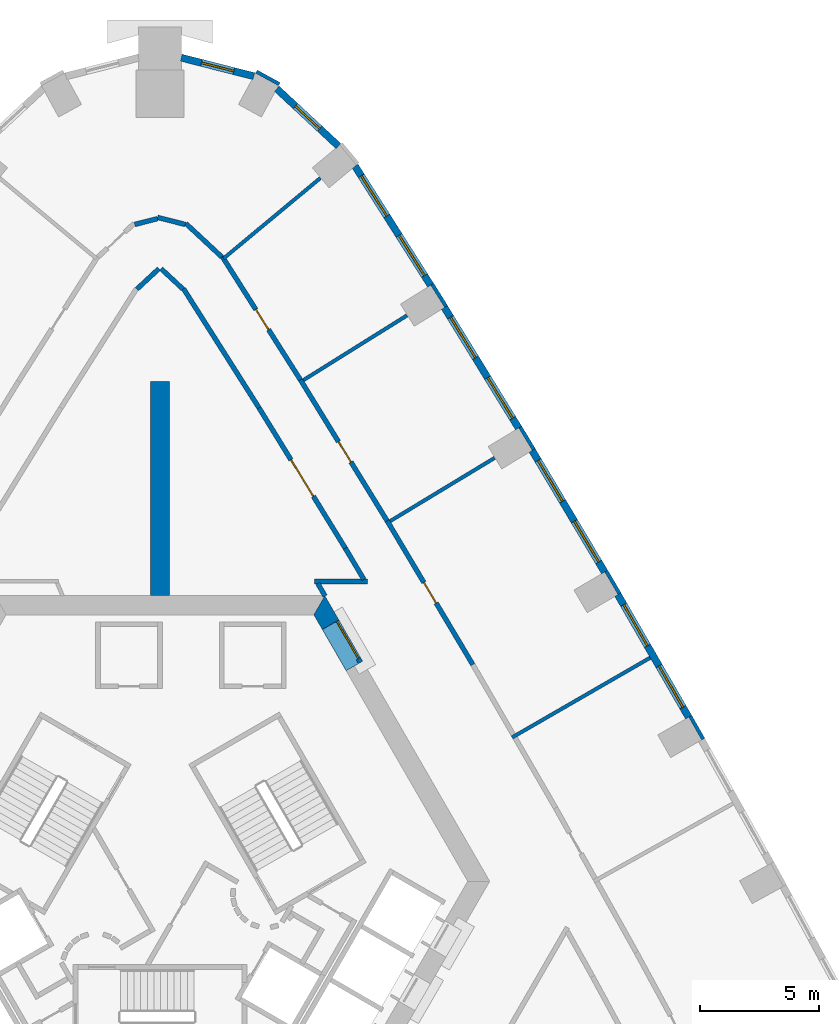
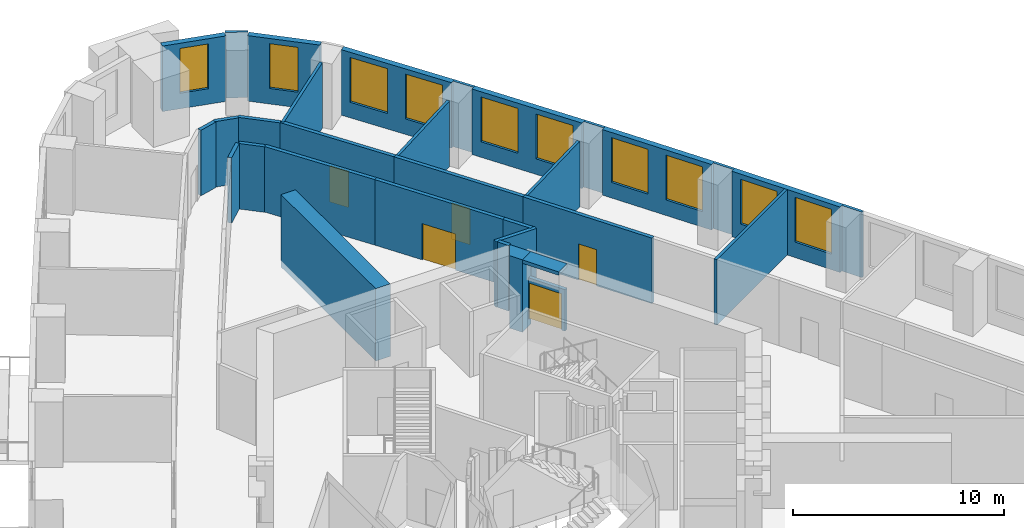
# One storey, part 10 of 14: 32 walls, 10 windows, 5 doors, 15 openings.
"""IFC4 building model written with IfcOpenShell, lengths in metres."""

from ifc_helpers import new_model, si_unit, direction, frame, frame_2d, origin, place, context, subcontext, project, spatial, polyline, rectangle, outline, extrude, material, layer, layer_set, type_object, element, fill, save


model = new_model("IFC4")

# Units and contexts
model_context = context("Model", 3, precision=1e-05, world=origin(), true_north=direction((0.0, 1.0)))
body_context = subcontext(model_context, "Body", "Model", "MODEL_VIEW")
ifc_project = project(units=[si_unit("LENGTHUNIT", "METRE"), si_unit("AREAUNIT", "SQUARE_METRE"), si_unit("VOLUMEUNIT", "CUBIC_METRE"), si_unit("PLANEANGLEUNIT", "RADIAN"), si_unit("MASSUNIT", "GRAM", prefix="KILO")], contexts=[model_context])

# Site, building, storey
site_placement = place(None, origin())
site = spatial("IfcSite", under=ifc_project, at=site_placement, CompositionType="ELEMENT")
building_placement = place(site_placement, origin())
building = spatial("IfcBuilding", under=site, at=building_placement, Name="Entoto Arch Interchange Tower", CompositionType="ELEMENT")
storey_placement = place(building_placement, frame((0.0, 0.0, 146.60009765625)))
storey = spatial("IfcBuildingStorey", under=building, at=storey_placement, Name="L32", CompositionType="ELEMENT", Elevation=146.60009765625)

# Wall
ifc_material_1 = material(Name="Concrete C50/60", Category="concrete")
ifc_layer_1 = layer(ifc_material_1, 0.800048828125)
ifc_layer_set_1 = layer_set([ifc_layer_1], Name="Concrete C50/60")
wall_type_1 = type_object("IfcWallType", Name="Buttress wall 800 C50/60", PredefinedType="SHEAR", material=ifc_layer_set_1)
wall_1_placement = place(storey_placement, frame((0.0, 14.5, -0.400146484375), z_axis=(0.0, 0.0, 1.0), x_axis=(0.0, 1.0, 0.0)))
element("IfcWall", 1, at=wall_1_placement, inside=storey, type_object=wall_type_1, Name="Buttress wall N L32", PredefinedType="SHEAR", context=body_context, shape_type="SweptSolid", body=[
    extrude(rectangle(XDim=9.0, YDim=0.800048828125, at=frame_2d((4.5, 0.0))), origin(), (0.0, 0.0, 1.0), 4.199951171875),
])

# Wall, opening, door
ifc_material_2 = material(Name="Reinforced concrete C40/50", Category="concrete")
ifc_layer_2 = layer(ifc_material_2, 0.199951171875)
ifc_layer_set_2 = layer_set([ifc_layer_2], Name="Reinforced concrete C40/50")
wall_type_2 = type_object("IfcWallType", Name="CORE GAP INFILL WALL", PredefinedType="PARTITIONING", material=ifc_layer_set_2)
wall_2_placement = place(storey_placement, frame((8.429931640625, 11.697998046875, 0.0), z_axis=(0.0, 0.0, 1.0), x_axis=(-0.50002537861, 0.866010750942, 0.0)))
wall_2 = element("IfcWall", 2, at=wall_2_placement, inside=storey, type_object=wall_type_2, Name="wall:L32:gap2", PredefinedType="PARTITIONING", context=body_context, shape_type="SweptSolid", body=[
    extrude(rectangle(XDim=2.0, YDim=0.199951171875, at=frame_2d((1.0, 0.0))), origin(), (0.0, 0.0, 1.0), 2.39990234375),
])
opening_1_placement = place(wall_2_placement, frame((0.18994140625, 0.0, 0.0)))
opening_1 = element("IfcOpeningElement", 3, at=opening_1_placement, cuts=wall_2, Name="Opening L32-D92", PredefinedType="OPENING", context=body_context, shape_type="SweptSolid", body=[
    extrude(rectangle(XDim=1.800048828125, YDim=2.10009765625, at=frame_2d((0.89990234375, 1.050048828125))), frame((0.0, 0.10986328125, 0.0), z_axis=(0.0, -1.0, 0.0), x_axis=(1.0, 0.0, 0.0)), (0.0, 0.0, 1.0), 0.219970703125),
])
ifc_material_3 = material(Name="Fire-rated Steel S235 door and frame", Category="steel")
door_type_1 = type_object("IfcDoorType", Name="DOOR FD-18 1800x2100", OperationType="DOUBLE_DOOR_SINGLE_SWING", PredefinedType="DOOR", material=ifc_material_3)
door_1_placement = place(opening_1_placement, origin())
door_1 = element("IfcDoor", 4, at=door_1_placement, inside=storey, type_object=door_type_1, Name="door:L32:gap2", OperationType="DOUBLE_DOOR_SINGLE_SWING", OverallHeight=2.10009765625, OverallWidth=1.800048828125, PredefinedType="DOOR", context=body_context, shape_type="SweptSolid", body=[
    extrude(rectangle(XDim=1.800048828125, YDim=2.10009765625, at=frame_2d((0.89990234375, 1.050048828125))), frame((0.0, 0.02490234375, 0.0), z_axis=(0.0, -1.0, 0.0), x_axis=(1.0, 0.0, 0.0)), (0.0, 0.0, 1.0), 0.050048828125),
])
fill(opening_1, door_1)

# Walls
ifc_layer_3 = layer(ifc_material_1, 0.800048828125)
ifc_layer_set_3 = layer_set([ifc_layer_3], Name="Concrete C50/60")
wall_type_3 = type_object("IfcWallType", Name="Core wall 800 C50/60", PredefinedType="SHEAR", material=ifc_layer_set_3)
wall_3_placement = place(storey_placement, frame((0.0, 0.0, -0.400146484375)))
element("IfcWall", 5, at=wall_3_placement, inside=storey, type_object=wall_type_3, Name="Core wall NE L32", PredefinedType="SHEAR", context=body_context, shape_type="SweptSolid", body=[
    extrude(outline(polyline([(6.823974609375, 13.080078125), (7.51708984375, 13.47998046875), (6.927978515625, 14.5), (6.466064453125, 13.699951171875), (6.823974609375, 13.080078125)])), origin(), (0.0, 0.0, 1.0), 4.199951171875),
])
wall_4_placement = place(storey_placement, frame((0.0, 0.0, 3.599853515625)))
element("IfcWall", 6, at=wall_4_placement, inside=storey, type_object=wall_type_3, Name="Core wall lintel NE L32", PredefinedType="SHEAR", context=body_context, shape_type="SweptSolid", body=[
    extrude(outline(polyline([(7.51708984375, 13.47998046875), (6.823974609375, 13.080078125), (7.823974609375, 11.347900390625), (8.51708984375, 11.748046875), (7.51708984375, 13.47998046875)])), origin(), (0.0, 0.0, 1.0), 0.199951171875),
])
ifc_material_4 = material(Name="Gypsum board partition on steel studs", Category="steel")
ifc_layer_4 = layer(ifc_material_4, 0.14990234375)
ifc_layer_set_4 = layer_set([ifc_layer_4], Name="Gypsum board partition on steel studs")
wall_type_4 = type_object("IfcWallType", Name="PARTITION 150", PredefinedType="PARTITIONING", material=ifc_layer_set_4)
wall_5_placement = place(storey_placement, frame((14.798095703125, 8.5439453125, 0.0), z_axis=(0.0, 0.0, 1.0), x_axis=(0.866041788654, 0.4999716195, 0.0)))
element("IfcWall", 7, at=wall_5_placement, inside=storey, type_object=wall_type_4, Name="wall:L32:p128", PredefinedType="PARTITIONING", context=body_context, shape_type="SweptSolid", body=[
    extrude(rectangle(XDim=6.70068359375, YDim=0.14990234375, at=frame_2d((3.350341796875, 0.0))), origin(), (0.0, 0.0, 1.0), 3.7998046875),
])
wall_6_placement = place(storey_placement, frame((9.6708984375, 17.633056640625, 0.0), z_axis=(0.0, 0.0, 1.0), x_axis=(0.855551112805, 0.517718353332, 0.0)))
element("IfcWall", 8, at=wall_6_placement, inside=storey, type_object=wall_type_4, Name="wall:L32:p129", PredefinedType="PARTITIONING", context=body_context, shape_type="SweptSolid", body=[
    extrude(rectangle(XDim=5.130126953125, YDim=0.14990234375, at=frame_2d((2.56494140625, 0.0))), origin(), (0.0, 0.0, 1.0), 3.7998046875),
])
wall_7_placement = place(storey_placement, frame((6.028076171875, 23.56005859375, 0.0), z_axis=(0.0, 0.0, 1.0), x_axis=(0.848246841914, 0.529601071734, 0.0)))
element("IfcWall", 9, at=wall_7_placement, inside=storey, type_object=wall_type_4, Name="wall:L32:p130", PredefinedType="PARTITIONING", context=body_context, shape_type="SweptSolid", body=[
    extrude(rectangle(XDim=5.13037109375, YDim=0.14990234375, at=frame_2d((2.565185546875, 0.0))), origin(), (0.0, 0.0, 1.0), 3.7998046875),
])
wall_8_placement = place(storey_placement, frame((2.669921875, 28.669921875, 0.0), z_axis=(0.0, 0.0, 1.0), x_axis=(0.769162789992, 0.639052894909, 0.0)))
element("IfcWall", 10, at=wall_8_placement, inside=storey, type_object=wall_type_4, Name="wall:L32:p131", PredefinedType="PARTITIONING", context=body_context, shape_type="SweptSolid", body=[
    extrude(rectangle(XDim=5.287841796875, YDim=0.14990234375, at=frame_2d((2.64404296875, 0.0))), origin(), (0.0, 0.0, 1.0), 3.7998046875),
])
ifc_layer_5 = layer(ifc_material_4, 0.199951171875)
ifc_layer_set_5 = layer_set([ifc_layer_5], Name="Gypsum board partition on steel studs")
wall_type_5 = type_object("IfcWallType", Name="PARTITION 200", PredefinedType="PARTITIONING", material=ifc_layer_set_5)
wall_9_placement = place(storey_placement, frame((6.93701171875, 14.488037109375, 0.0), z_axis=(0.0, 0.0, 1.0), x_axis=(-0.499908430952, 0.866078264744, 0.0)))
element("IfcWall", 11, at=wall_9_placement, inside=storey, type_object=wall_type_5, Name="wall:L32:p003", PredefinedType="PARTITIONING", context=body_context, shape_type="SweptSolid", body=[
    extrude(rectangle(XDim=0.60595703125, YDim=0.199951171875, at=frame_2d((0.302978515625, 0.0))), origin(), (0.0, 0.0, 1.0), 3.7998046875),
])
wall_10_placement = place(storey_placement, frame((6.48388671875, 15.10009765625, 0.0), z_axis=(0.0, 0.0, 1.0), x_axis=(1.0, 0.0, 0.0)))
element("IfcWall", 12, at=wall_10_placement, inside=storey, type_object=wall_type_5, Name="wall:L32:p004", PredefinedType="PARTITIONING", context=body_context, shape_type="SweptSolid", body=[
    extrude(rectangle(XDim=2.236083984375, YDim=0.199951171875, at=frame_2d((1.1181640625, 0.0))), origin(), (0.0, 0.0, 1.0), 3.7998046875),
])
wall_11_placement = place(storey_placement, frame((8.569091796875, 15.18603515625, 0.0), z_axis=(0.0, 0.0, 1.0), x_axis=(-0.512230585803, 0.85884796499, 0.0)))
element("IfcWall", 13, at=wall_11_placement, inside=storey, type_object=wall_type_5, Name="wall:L32:p005", PredefinedType="PARTITIONING", context=body_context, shape_type="SweptSolid", body=[
    extrude(rectangle(XDim=1.522705078125, YDim=0.199951171875, at=frame_2d((0.76123046875, 0.0))), origin(), (0.0, 0.0, 1.0), 3.7998046875),
])

# Wall, opening, door
wall_12_placement = place(storey_placement, frame((7.7890625, 16.493896484375, 0.0), z_axis=(0.0, 0.0, 1.0), x_axis=(-0.523625371849, 0.851948631055, 0.0)))
wall_12 = element("IfcWall", 14, at=wall_12_placement, inside=storey, type_object=wall_type_5, Name="wall:L32:p006", PredefinedType="PARTITIONING", context=body_context, shape_type="SweptSolid", body=[
    extrude(rectangle(XDim=6.926513671875, YDim=0.199951171875, at=frame_2d((3.46337890625, 0.0))), origin(), (0.0, 0.0, 1.0), 3.7998046875),
])
opening_2_placement = place(wall_12_placement, frame((2.56396484375, 0.0, 0.0)))
opening_2 = element("IfcOpeningElement", 15, at=opening_2_placement, cuts=wall_12, Name="Opening L32-D23", PredefinedType="OPENING", context=body_context, shape_type="SweptSolid", body=[
    extrude(rectangle(XDim=1.800048828125, YDim=2.10009765625, at=frame_2d((0.89990234375, 1.050048828125))), frame((0.0, 0.10986328125, 0.0), z_axis=(0.0, -1.0, 0.0), x_axis=(1.0, 0.0, 0.0)), (0.0, 0.0, 1.0), 0.219970703125),
])
ifc_material_5 = material(Name="Timber door leaf in Steel S235 frame", Category="steel")
door_type_2 = type_object("IfcDoorType", Name="DOOR DD-18 1800x2100", OperationType="DOUBLE_DOOR_SINGLE_SWING", PredefinedType="DOOR", material=ifc_material_5)
door_2_placement = place(opening_2_placement, origin())
door_2 = element("IfcDoor", 16, at=door_2_placement, inside=storey, type_object=door_type_2, Name="door:L32:23", OperationType="DOUBLE_DOOR_SINGLE_SWING", OverallHeight=2.10009765625, OverallWidth=1.800048828125, PredefinedType="DOOR", context=body_context, shape_type="SweptSolid", body=[
    extrude(rectangle(XDim=1.800048828125, YDim=2.10009765625, at=frame_2d((0.89990234375, 1.050048828125))), frame((0.0, 0.02490234375, 0.0), z_axis=(0.0, -1.0, 0.0), x_axis=(1.0, 0.0, 0.0)), (0.0, 0.0, 1.0), 0.050048828125),
])
fill(opening_2, door_2)

# Walls
wall_13_placement = place(storey_placement, frame((4.162109375, 22.39501953125, 0.0), z_axis=(0.0, 0.0, 1.0), x_axis=(-0.535496886312, 0.844537201519, 0.0)))
element("IfcWall", 17, at=wall_13_placement, inside=storey, type_object=wall_type_5, Name="wall:L32:p007", PredefinedType="PARTITIONING", context=body_context, shape_type="SweptSolid", body=[
    extrude(rectangle(XDim=5.92724609375, YDim=0.199951171875, at=frame_2d((2.963623046875, 0.0))), origin(), (0.0, 0.0, 1.0), 3.7998046875),
])
for number, where, z_axis, x_axis, name in (
    (18, (0.968017578125, 27.385009765625, 0.0), (0.0, 0.0, 1.0), (-0.732524038911, 0.680741164039, 0.0), "wall:L32:p008"),
    (19, (-0.0458984375, 28.241943359375, 0.0), (0.0, 0.0, 1.0), (-0.732524038911, -0.680741164039, 0.0), "wall:L32:p009"),
):
    element("IfcWall", number, at=place(storey_placement, frame(where, z_axis=z_axis, x_axis=x_axis)), inside=storey, type_object=wall_type_5, Name=name, PredefinedType="PARTITIONING", context=body_context, shape_type="SweptSolid", body=[
        extrude(rectangle(XDim=1.2587890625, YDim=0.199951171875, at=frame_2d((0.62939453125, 0.0))), origin(), (0.0, 0.0, 1.0), 3.7998046875),
    ])

# Wall, opening, door
wall_14_placement = place(storey_placement, frame((9.548095703125, 17.64501953125, 0.0), z_axis=(0.0, 0.0, 1.0), x_axis=(0.511822081848, -0.859091471575, 0.0)))
wall_14 = element("IfcWall", 20, at=wall_14_placement, inside=storey, type_object=wall_type_5, Name="wall:L32:p043", PredefinedType="PARTITIONING", context=body_context, shape_type="SweptSolid", body=[
    extrude(rectangle(XDim=7.029541015625, YDim=0.199951171875, at=frame_2d((3.5146484375, 0.0))), origin(), (0.0, 0.0, 1.0), 3.7998046875),
])
opening_3_placement = place(wall_14_placement, frame((3.014892578125, 0.0, 0.0)))
opening_3 = element("IfcOpeningElement", 21, at=opening_3_placement, cuts=wall_14, Name="Opening L32-D07", PredefinedType="OPENING", context=body_context, shape_type="SweptSolid", body=[
    extrude(rectangle(XDim=1.0, YDim=2.10009765625, at=frame_2d((0.5, 1.050048828125))), frame((0.0, 0.10986328125, 0.0), z_axis=(0.0, -1.0, 0.0), x_axis=(1.0, 0.0, 0.0)), (0.0, 0.0, 1.0), 0.219970703125),
])
door_type_3 = type_object("IfcDoorType", Name="DOOR DS-10 1000x2100", OperationType="SINGLE_SWING_LEFT", PredefinedType="DOOR", material=ifc_material_5)
door_3_placement = place(opening_3_placement, origin())
door_3 = element("IfcDoor", 22, at=door_3_placement, inside=storey, type_object=door_type_3, Name="door:L32:07", OperationType="SINGLE_SWING_RIGHT", OverallHeight=2.10009765625, OverallWidth=1.0, PredefinedType="DOOR", context=body_context, shape_type="SweptSolid", body=[
    extrude(rectangle(XDim=1.0, YDim=2.10009765625, at=frame_2d((0.5, 1.050048828125))), frame((0.0, 0.02490234375, 0.0), z_axis=(0.0, -1.0, 0.0), x_axis=(1.0, 0.0, 0.0)), (0.0, 0.0, 1.0), 0.050048828125),
])
fill(opening_3, door_3)

wall_15_placement = place(storey_placement, frame((5.904052734375, 23.571044921875, 0.0), z_axis=(0.0, 0.0, 1.0), x_axis=(0.523647026552, -0.851935321244, 0.0)))
wall_15 = element("IfcWall", 23, at=wall_15_placement, inside=storey, type_object=wall_type_5, Name="wall:L32:p045", PredefinedType="PARTITIONING", context=body_context, shape_type="SweptSolid", body=[
    extrude(rectangle(XDim=6.95703125, YDim=0.199951171875, at=frame_2d((3.478515625, 0.0))), origin(), (0.0, 0.0, 1.0), 3.7998046875),
])
opening_4_placement = place(wall_15_placement, frame((3.052978515625, 0.0, 0.0)))
opening_4 = element("IfcOpeningElement", 24, at=opening_4_placement, cuts=wall_15, Name="Opening L32-D08", PredefinedType="OPENING", context=body_context, shape_type="SweptSolid", body=[
    extrude(rectangle(XDim=1.0, YDim=2.10009765625, at=frame_2d((0.5, 1.050048828125))), frame((0.0, 0.10986328125, 0.0), z_axis=(0.0, -1.0, 0.0), x_axis=(1.0, 0.0, 0.0)), (0.0, 0.0, 1.0), 0.219970703125),
])
door_4_placement = place(opening_4_placement, origin())
door_4 = element("IfcDoor", 25, at=door_4_placement, inside=storey, type_object=door_type_3, Name="door:L32:08", OperationType="SINGLE_SWING_LEFT", OverallHeight=2.10009765625, OverallWidth=1.0, PredefinedType="DOOR", context=body_context, shape_type="SweptSolid", body=[
    extrude(rectangle(XDim=1.0, YDim=2.10009765625, at=frame_2d((0.5, 1.050048828125))), frame((0.0, 0.02490234375, 0.0), z_axis=(0.0, -1.0, 0.0), x_axis=(1.0, 0.0, 0.0)), (0.0, 0.0, 1.0), 0.050048828125),
])
fill(opening_4, door_4)

wall_16_placement = place(storey_placement, frame((2.615966796875, 28.75390625, 0.0), z_axis=(0.0, 0.0, 1.0), x_axis=(0.535405016332, -0.844595446641, 0.0)))
wall_16 = element("IfcWall", 26, at=wall_16_placement, inside=storey, type_object=wall_type_5, Name="wall:L32:p046", PredefinedType="PARTITIONING", context=body_context, shape_type="SweptSolid", body=[
    extrude(rectangle(XDim=6.1376953125, YDim=0.199951171875, at=frame_2d((3.06884765625, 0.0))), origin(), (0.0, 0.0, 1.0), 3.7998046875),
])
opening_5_placement = place(wall_16_placement, frame((2.64404296875, 0.0, 0.0)))
opening_5 = element("IfcOpeningElement", 27, at=opening_5_placement, cuts=wall_16, Name="Opening L32-D09", PredefinedType="OPENING", context=body_context, shape_type="SweptSolid", body=[
    extrude(rectangle(XDim=1.0, YDim=2.10009765625, at=frame_2d((0.5, 1.050048828125))), frame((0.0, 0.10986328125, 0.0), z_axis=(0.0, -1.0, 0.0), x_axis=(1.0, 0.0, 0.0)), (0.0, 0.0, 1.0), 0.219970703125),
])
door_5_placement = place(opening_5_placement, origin())
door_5 = element("IfcDoor", 28, at=door_5_placement, inside=storey, type_object=door_type_3, Name="door:L32:09", OperationType="SINGLE_SWING_LEFT", OverallHeight=2.10009765625, OverallWidth=1.0, PredefinedType="DOOR", context=body_context, shape_type="SweptSolid", body=[
    extrude(rectangle(XDim=1.0, YDim=2.10009765625, at=frame_2d((0.5, 1.050048828125))), frame((0.0, 0.02490234375, 0.0), z_axis=(0.0, -1.0, 0.0), x_axis=(1.0, 0.0, 0.0)), (0.0, 0.0, 1.0), 0.050048828125),
])
fill(opening_5, door_5)

# Walls
wall_17_placement = place(storey_placement, frame((-1.06103515625, 30.10107421875, 0.0), z_axis=(0.0, 0.0, 1.0), x_axis=(0.968991499392, 0.247094059227, 0.0)))
element("IfcWall", 29, at=wall_17_placement, inside=storey, type_object=wall_type_5, Name="wall:L32:p048", PredefinedType="PARTITIONING", context=body_context, shape_type="SweptSolid", body=[
    extrude(rectangle(XDim=0.994873046875, YDim=0.199951171875, at=frame_2d((0.49755859375, 0.0))), origin(), (0.0, 0.0, 1.0), 3.7998046875),
])
wall_18_placement = place(storey_placement, frame((-0.096923828125, 30.39697265625, 0.0), z_axis=(0.0, 0.0, 1.0), x_axis=(0.968867686006, -0.247579092439, 0.0)))
element("IfcWall", 30, at=wall_18_placement, inside=storey, type_object=wall_type_5, Name="wall:L32:p049", PredefinedType="PARTITIONING", context=body_context, shape_type="SweptSolid", body=[
    extrude(rectangle(XDim=1.195068359375, YDim=0.199951171875, at=frame_2d((0.59765625, 0.0))), origin(), (0.0, 0.0, 1.0), 3.7998046875),
])
wall_19_placement = place(storey_placement, frame((1.0849609375, 30.14501953125, 0.0), z_axis=(0.0, 0.0, 1.0), x_axis=(0.73206471367, -0.681235095249, 0.0)))
element("IfcWall", 31, at=wall_19_placement, inside=storey, type_object=wall_type_5, Name="wall:L32:p050", PredefinedType="PARTITIONING", context=body_context, shape_type="SweptSolid", body=[
    extrude(rectangle(XDim=2.0654296875, YDim=0.199951171875, at=frame_2d((1.03271484375, 0.0))), origin(), (0.0, 0.0, 1.0), 3.7998046875),
])

# Wall, openings, windows
ifc_material_6 = material(Name="Welded tuff (ignimbrite) cladding, warm buff", Category="masonry")
ifc_layer_6 = layer(ifc_material_6, 0.300048828125)
ifc_layer_set_6 = layer_set([ifc_layer_6], Name="Welded tuff (ignimbrite) cladding, warm buff")
wall_type_6 = type_object("IfcWallType", Name="STONE INFILL WALL 300", PredefinedType="STANDARD", material=ifc_layer_set_6)
wall_20_placement = place(storey_placement, frame((22.218017578125, 9.39208984375, 0.0), z_axis=(0.0, 0.0, 1.0), x_axis=(-0.49994263896, 0.866058518664, 0.0)))
wall_20 = element("IfcWall", 32, at=wall_20_placement, inside=storey, type_object=wall_type_6, Name="Facade wall NE-04 L32", PredefinedType="STANDARD", context=body_context, shape_type="SweptSolid", body=[
    extrude(rectangle(XDim=5.950927734375, YDim=0.300048828125, at=frame_2d((2.9755859375, 0.0))), origin(), (0.0, 0.0, 1.0), 3.7998046875),
])
opening_6_placement = place(wall_20_placement, frame((0.488037109375, 0.0, 0.89990234375)))
opening_6 = element("IfcOpeningElement", 33, at=opening_6_placement, cuts=wall_20, Name="Opening WO-C", PredefinedType="OPENING", context=body_context, shape_type="SweptSolid", body=[
    extrude(rectangle(XDim=2.0, YDim=2.60009765625, at=frame_2d((1.0, 1.300048828125))), frame((0.0, 0.16015625, 0.0), z_axis=(0.0, -1.0, 0.0), x_axis=(1.0, 0.0, 0.0)), (0.0, 0.0, 1.0), 0.320068359375),
])
opening_7_placement = place(wall_20_placement, frame((3.462890625, 0.0, 0.89990234375)))
opening_7 = element("IfcOpeningElement", 34, at=opening_7_placement, cuts=wall_20, Name="Opening WO-C", PredefinedType="OPENING", context=body_context, shape_type="SweptSolid", body=[
    extrude(rectangle(XDim=2.0, YDim=2.60009765625, at=frame_2d((1.0, 1.300048828125))), frame((0.0, 0.16015625, 0.0), z_axis=(0.0, -1.0, 0.0), x_axis=(1.0, 0.0, 0.0)), (0.0, 0.0, 1.0), 0.320068359375),
])
ifc_material_7 = material(Name="Clear glass, low-e double glazed", Category="glass")
window_type_1 = type_object("IfcWindowType", Name="WINDOW WO-C 2000x2600", PartitioningType="DOUBLE_PANEL_VERTICAL", PredefinedType="WINDOW", material=ifc_material_7)
window_1_placement = place(opening_6_placement, origin())
window_1 = element("IfcWindow", 35, at=window_1_placement, inside=storey, type_object=window_type_1, Name="Window WO-C NE-04 L32", OverallHeight=2.60009765625, OverallWidth=2.0, PartitioningType="SINGLE_PANEL", PredefinedType="WINDOW", context=body_context, shape_type="SweptSolid", body=[
    extrude(rectangle(XDim=2.0, YDim=2.60009765625, at=frame_2d((1.0, 1.300048828125))), frame((0.0, 0.030029296875, 0.0), z_axis=(0.0, -1.0, 0.0), x_axis=(1.0, 0.0, 0.0)), (0.0, 0.0, 1.0), 0.06005859375),
])
fill(opening_6, window_1)
window_2_placement = place(opening_7_placement, origin())
window_2 = element("IfcWindow", 36, at=window_2_placement, inside=storey, type_object=window_type_1, Name="Window WO-C NE-04 L32", OverallHeight=2.60009765625, OverallWidth=2.0, PartitioningType="SINGLE_PANEL", PredefinedType="WINDOW", context=body_context, shape_type="SweptSolid", body=[
    extrude(rectangle(XDim=2.0, YDim=2.60009765625, at=frame_2d((1.0, 1.300048828125))), frame((0.0, 0.030029296875, 0.0), z_axis=(0.0, -1.0, 0.0), x_axis=(1.0, 0.0, 0.0)), (0.0, 0.0, 1.0), 0.06005859375),
])
fill(opening_7, window_2)

wall_21_placement = place(storey_placement, frame((18.68798828125, 15.492919921875, 0.0), z_axis=(0.0, 0.0, 1.0), x_axis=(-0.511856715331, 0.859070836992, 0.0)))
wall_21 = element("IfcWall", 37, at=wall_21_placement, inside=storey, type_object=wall_type_6, Name="Facade wall NE-05 L32", PredefinedType="STANDARD", context=body_context, shape_type="SweptSolid", body=[
    extrude(rectangle(XDim=5.95068359375, YDim=0.300048828125, at=frame_2d((2.975341796875, 0.0))), origin(), (0.0, 0.0, 1.0), 3.7998046875),
])
opening_8_placement = place(wall_21_placement, frame((0.488037109375, 0.0, 0.89990234375)))
opening_8 = element("IfcOpeningElement", 38, at=opening_8_placement, cuts=wall_21, Name="Opening WO-C", PredefinedType="OPENING", context=body_context, shape_type="SweptSolid", body=[
    extrude(rectangle(XDim=2.0, YDim=2.60009765625, at=frame_2d((1.0, 1.300048828125))), frame((0.0, 0.16015625, 0.0), z_axis=(0.0, -1.0, 0.0), x_axis=(1.0, 0.0, 0.0)), (0.0, 0.0, 1.0), 0.320068359375),
])
opening_9_placement = place(wall_21_placement, frame((3.462890625, 0.0, 0.89990234375)))
opening_9 = element("IfcOpeningElement", 39, at=opening_9_placement, cuts=wall_21, Name="Opening WO-C", PredefinedType="OPENING", context=body_context, shape_type="SweptSolid", body=[
    extrude(rectangle(XDim=2.0, YDim=2.60009765625, at=frame_2d((1.0, 1.300048828125))), frame((0.0, 0.16015625, 0.0), z_axis=(0.0, -1.0, 0.0), x_axis=(1.0, 0.0, 0.0)), (0.0, 0.0, 1.0), 0.320068359375),
])
window_3_placement = place(opening_8_placement, origin())
window_3 = element("IfcWindow", 40, at=window_3_placement, inside=storey, type_object=window_type_1, Name="Window WO-C NE-05 L32", OverallHeight=2.60009765625, OverallWidth=2.0, PartitioningType="SINGLE_PANEL", PredefinedType="WINDOW", context=body_context, shape_type="SweptSolid", body=[
    extrude(rectangle(XDim=2.0, YDim=2.60009765625, at=frame_2d((1.0, 1.300048828125))), frame((0.0, 0.030029296875, 0.0), z_axis=(0.0, -1.0, 0.0), x_axis=(1.0, 0.0, 0.0)), (0.0, 0.0, 1.0), 0.06005859375),
])
fill(opening_8, window_3)
window_4_placement = place(opening_9_placement, origin())
window_4 = element("IfcWindow", 41, at=window_4_placement, inside=storey, type_object=window_type_1, Name="Window WO-C NE-05 L32", OverallHeight=2.60009765625, OverallWidth=2.0, PartitioningType="SINGLE_PANEL", PredefinedType="WINDOW", context=body_context, shape_type="SweptSolid", body=[
    extrude(rectangle(XDim=2.0, YDim=2.60009765625, at=frame_2d((1.0, 1.300048828125))), frame((0.0, 0.030029296875, 0.0), z_axis=(0.0, -1.0, 0.0), x_axis=(1.0, 0.0, 0.0)), (0.0, 0.0, 1.0), 0.06005859375),
])
fill(opening_9, window_4)

wall_22_placement = place(storey_placement, frame((15.072998046875, 21.5439453125, 0.0), z_axis=(0.0, 0.0, 1.0), x_axis=(-0.523719731127, 0.851890628677, 0.0)))
wall_22 = element("IfcWall", 42, at=wall_22_placement, inside=storey, type_object=wall_type_6, Name="Facade wall NE-06 L32", PredefinedType="STANDARD", context=body_context, shape_type="SweptSolid", body=[
    extrude(rectangle(XDim=5.95166015625, YDim=0.300048828125, at=frame_2d((2.975830078125, 0.0))), origin(), (0.0, 0.0, 1.0), 3.7998046875),
])
opening_10_placement = place(wall_22_placement, frame((0.488037109375, 0.0, 0.89990234375)))
opening_10 = element("IfcOpeningElement", 43, at=opening_10_placement, cuts=wall_22, Name="Opening WO-C", PredefinedType="OPENING", context=body_context, shape_type="SweptSolid", body=[
    extrude(rectangle(XDim=2.0, YDim=2.60009765625, at=frame_2d((1.0, 1.300048828125))), frame((0.0, 0.16015625, 0.0), z_axis=(0.0, -1.0, 0.0), x_axis=(1.0, 0.0, 0.0)), (0.0, 0.0, 1.0), 0.320068359375),
])
opening_11_placement = place(wall_22_placement, frame((3.464111328125, 0.0, 0.89990234375)))
opening_11 = element("IfcOpeningElement", 44, at=opening_11_placement, cuts=wall_22, Name="Opening WO-C", PredefinedType="OPENING", context=body_context, shape_type="SweptSolid", body=[
    extrude(rectangle(XDim=2.0, YDim=2.60009765625, at=frame_2d((1.0, 1.300048828125))), frame((0.0, 0.16015625, 0.0), z_axis=(0.0, -1.0, 0.0), x_axis=(1.0, 0.0, 0.0)), (0.0, 0.0, 1.0), 0.320068359375),
])
window_5_placement = place(opening_10_placement, origin())
window_5 = element("IfcWindow", 45, at=window_5_placement, inside=storey, type_object=window_type_1, Name="Window WO-C NE-06 L32", OverallHeight=2.60009765625, OverallWidth=2.0, PartitioningType="SINGLE_PANEL", PredefinedType="WINDOW", context=body_context, shape_type="SweptSolid", body=[
    extrude(rectangle(XDim=2.0, YDim=2.60009765625, at=frame_2d((1.0, 1.300048828125))), frame((0.0, 0.030029296875, 0.0), z_axis=(0.0, -1.0, 0.0), x_axis=(1.0, 0.0, 0.0)), (0.0, 0.0, 1.0), 0.06005859375),
])
fill(opening_10, window_5)
window_6_placement = place(opening_11_placement, origin())
window_6 = element("IfcWindow", 46, at=window_6_placement, inside=storey, type_object=window_type_1, Name="Window WO-C NE-06 L32", OverallHeight=2.60009765625, OverallWidth=2.0, PartitioningType="SINGLE_PANEL", PredefinedType="WINDOW", context=body_context, shape_type="SweptSolid", body=[
    extrude(rectangle(XDim=2.0, YDim=2.60009765625, at=frame_2d((1.0, 1.300048828125))), frame((0.0, 0.030029296875, 0.0), z_axis=(0.0, -1.0, 0.0), x_axis=(1.0, 0.0, 0.0)), (0.0, 0.0, 1.0), 0.06005859375),
])
fill(opening_11, window_6)

wall_23_placement = place(storey_placement, frame((11.375, 27.544921875, 0.0), z_axis=(0.0, 0.0, 1.0), x_axis=(-0.535403761464, 0.844596242124, 0.0)))
wall_23 = element("IfcWall", 47, at=wall_23_placement, inside=storey, type_object=wall_type_6, Name="Facade wall NE-07 L32", PredefinedType="STANDARD", context=body_context, shape_type="SweptSolid", body=[
    extrude(rectangle(XDim=5.928466796875, YDim=0.300048828125, at=frame_2d((2.96435546875, 0.0))), origin(), (0.0, 0.0, 1.0), 3.7998046875),
])
opening_12_placement = place(wall_23_placement, frame((0.48193359375, 0.0, 0.89990234375)))
opening_12 = element("IfcOpeningElement", 48, at=opening_12_placement, cuts=wall_23, Name="Opening WO-C", PredefinedType="OPENING", context=body_context, shape_type="SweptSolid", body=[
    extrude(rectangle(XDim=2.0, YDim=2.60009765625, at=frame_2d((1.0, 1.300048828125))), frame((0.0, 0.16015625, 0.0), z_axis=(0.0, -1.0, 0.0), x_axis=(1.0, 0.0, 0.0)), (0.0, 0.0, 1.0), 0.320068359375),
])
opening_13_placement = place(wall_23_placement, frame((3.446044921875, 0.0, 0.89990234375)))
opening_13 = element("IfcOpeningElement", 49, at=opening_13_placement, cuts=wall_23, Name="Opening WO-C", PredefinedType="OPENING", context=body_context, shape_type="SweptSolid", body=[
    extrude(rectangle(XDim=2.0, YDim=2.60009765625, at=frame_2d((1.0, 1.300048828125))), frame((0.0, 0.16015625, 0.0), z_axis=(0.0, -1.0, 0.0), x_axis=(1.0, 0.0, 0.0)), (0.0, 0.0, 1.0), 0.320068359375),
])
window_7_placement = place(opening_12_placement, origin())
window_7 = element("IfcWindow", 50, at=window_7_placement, inside=storey, type_object=window_type_1, Name="Window WO-C NE-07 L32", OverallHeight=2.60009765625, OverallWidth=2.0, PartitioningType="SINGLE_PANEL", PredefinedType="WINDOW", context=body_context, shape_type="SweptSolid", body=[
    extrude(rectangle(XDim=2.0, YDim=2.60009765625, at=frame_2d((1.0, 1.300048828125))), frame((0.0, 0.030029296875, 0.0), z_axis=(0.0, -1.0, 0.0), x_axis=(1.0, 0.0, 0.0)), (0.0, 0.0, 1.0), 0.06005859375),
])
fill(opening_12, window_7)
window_8_placement = place(opening_13_placement, origin())
window_8 = element("IfcWindow", 51, at=window_8_placement, inside=storey, type_object=window_type_1, Name="Window WO-C NE-07 L32", OverallHeight=2.60009765625, OverallWidth=2.0, PartitioningType="SINGLE_PANEL", PredefinedType="WINDOW", context=body_context, shape_type="SweptSolid", body=[
    extrude(rectangle(XDim=2.0, YDim=2.60009765625, at=frame_2d((1.0, 1.300048828125))), frame((0.0, 0.030029296875, 0.0), z_axis=(0.0, -1.0, 0.0), x_axis=(1.0, 0.0, 0.0)), (0.0, 0.0, 1.0), 0.06005859375),
])
fill(opening_13, window_8)

# Wall, opening, window
wall_24_placement = place(storey_placement, frame((7.4990234375, 33.39599609375, 0.0), z_axis=(0.0, 0.0, 1.0), x_axis=(-0.732121882671, 0.681173655475, 0.0)))
wall_24 = element("IfcWall", 52, at=wall_24_placement, inside=storey, type_object=wall_type_6, Name="Facade wall N-01 L32", PredefinedType="STANDARD", context=body_context, shape_type="SweptSolid", body=[
    extrude(rectangle(XDim=3.536376953125, YDim=0.300048828125, at=frame_2d((1.76806640625, 0.0))), origin(), (0.0, 0.0, 1.0), 3.7998046875),
])
opening_14_placement = place(wall_24_placement, frame((1.068115234375, 0.0, 0.89990234375)))
opening_14 = element("IfcOpeningElement", 53, at=opening_14_placement, cuts=wall_24, Name="Opening WO-B", PredefinedType="OPENING", context=body_context, shape_type="SweptSolid", body=[
    extrude(rectangle(XDim=1.39990234375, YDim=2.60009765625, at=frame_2d((0.699951171875, 1.300048828125))), frame((0.0, 0.16015625, 0.0), z_axis=(0.0, -1.0, 0.0), x_axis=(1.0, 0.0, 0.0)), (0.0, 0.0, 1.0), 0.320068359375),
])
window_type_2 = type_object("IfcWindowType", Name="WINDOW WO-B 1400x2600", PartitioningType="DOUBLE_PANEL_VERTICAL", PredefinedType="WINDOW", material=ifc_material_7)
window_9_placement = place(opening_14_placement, origin())
window_9 = element("IfcWindow", 54, at=window_9_placement, inside=storey, type_object=window_type_2, Name="Window WO-B N-01 L32", OverallHeight=2.60009765625, OverallWidth=1.39990234375, PartitioningType="SINGLE_PANEL", PredefinedType="WINDOW", context=body_context, shape_type="SweptSolid", body=[
    extrude(rectangle(XDim=1.39990234375, YDim=2.60009765625, at=frame_2d((0.699951171875, 1.300048828125))), frame((0.0, 0.030029296875, 0.0), z_axis=(0.0, -1.0, 0.0), x_axis=(1.0, 0.0, 0.0)), (0.0, 0.0, 1.0), 0.06005859375),
])
fill(opening_14, window_9)

wall_25_placement = place(storey_placement, frame((3.946044921875, 36.3310546875, 0.0), z_axis=(0.0, 0.0, 1.0), x_axis=(-0.968929586963, 0.247336724947, 0.0)))
wall_25 = element("IfcWall", 55, at=wall_25_placement, inside=storey, type_object=wall_type_6, Name="Facade wall N-02 L32", PredefinedType="STANDARD", context=body_context, shape_type="SweptSolid", body=[
    extrude(rectangle(XDim=3.144775390625, YDim=0.300048828125, at=frame_2d((1.572265625, 0.0))), origin(), (0.0, 0.0, 1.0), 3.7998046875),
])
opening_15_placement = place(wall_25_placement, frame((0.8720703125, 0.0, 0.89990234375)))
opening_15 = element("IfcOpeningElement", 56, at=opening_15_placement, cuts=wall_25, Name="Opening WO-B", PredefinedType="OPENING", context=body_context, shape_type="SweptSolid", body=[
    extrude(rectangle(XDim=1.39990234375, YDim=2.60009765625, at=frame_2d((0.699951171875, 1.300048828125))), frame((0.0, 0.16015625, 0.0), z_axis=(0.0, -1.0, 0.0), x_axis=(1.0, 0.0, 0.0)), (0.0, 0.0, 1.0), 0.320068359375),
])
window_10_placement = place(opening_15_placement, origin())
window_10 = element("IfcWindow", 57, at=window_10_placement, inside=storey, type_object=window_type_2, Name="Window WO-B N-02 L32", OverallHeight=2.60009765625, OverallWidth=1.39990234375, PartitioningType="SINGLE_PANEL", PredefinedType="WINDOW", context=body_context, shape_type="SweptSolid", body=[
    extrude(rectangle(XDim=1.39990234375, YDim=2.60009765625, at=frame_2d((0.699951171875, 1.300048828125))), frame((0.0, 0.030029296875, 0.0), z_axis=(0.0, -1.0, 0.0), x_axis=(1.0, 0.0, 0.0)), (0.0, 0.0, 1.0), 0.06005859375),
])
fill(opening_15, window_10)

# Walls
ifc_layer_7 = layer(ifc_material_6, 0.14990234375)
ifc_layer_set_7 = layer_set([ifc_layer_7], Name="Welded tuff (ignimbrite) cladding, warm buff")
wall_type_7 = type_object("IfcWallType", Name="STONE PIER CLADDING 150", PredefinedType="STANDARD", material=ifc_layer_set_7)
wall_26_placement = place(storey_placement, frame((5.01611328125, 35.998046875, 0.0), z_axis=(0.0, 0.0, 1.0), x_axis=(-0.877929486755, 0.478789950068, 0.0)))
element("IfcWall", 58, at=wall_26_placement, inside=storey, type_object=wall_type_7, Name="Stone pier N1 L32", PredefinedType="STANDARD", context=body_context, shape_type="SweptSolid", body=[
    extrude(rectangle(XDim=1.100341796875, YDim=0.14990234375, at=frame_2d((0.55029296875, 0.0))), origin(), (0.0, 0.0, 1.0), 3.7998046875),
])
wall_27_placement = place(storey_placement, frame((22.830078125, 8.47607421875, 0.0), z_axis=(0.0, 0.0, 1.0), x_axis=(-0.494775760346, 0.869020682708, 0.0)))
element("IfcWall", 59, at=wall_27_placement, inside=storey, type_object=wall_type_7, Name="Stone pier NE04 L32", PredefinedType="STANDARD", context=body_context, shape_type="SweptSolid", body=[
    extrude(rectangle(XDim=1.099853515625, YDim=0.14990234375, at=frame_2d((0.5498046875, 0.0))), origin(), (0.0, 0.0, 1.0), 3.7998046875),
])
wall_28_placement = place(storey_placement, frame((19.31201171875, 14.5849609375, 0.0), z_axis=(0.0, 0.0, 1.0), x_axis=(-0.50667077411, 0.862139621327, 0.0)))
element("IfcWall", 60, at=wall_28_placement, inside=storey, type_object=wall_type_7, Name="Stone pier NE05 L32", PredefinedType="STANDARD", context=body_context, shape_type="SweptSolid", body=[
    extrude(rectangle(XDim=1.099609375, YDim=0.14990234375, at=frame_2d((0.5498046875, 0.0))), origin(), (0.0, 0.0, 1.0), 3.7998046875),
])
for number, where, z_axis, x_axis, name in (
    (61, (15.7099609375, 20.64501953125, 0.0), (0.0, 0.0, 1.0), (-0.518178754102, 0.855272341888, 0.0), "Stone pier NE06 L32"),
    (62, (12.02392578125, 26.655029296875, 0.0), (0.0, 0.0, 1.0), (-0.52997899071, 0.848010771987, 0.0), "Stone pier NE07 L32"),
):
    element("IfcWall", number, at=place(storey_placement, frame(where, z_axis=z_axis, x_axis=x_axis)), inside=storey, type_object=wall_type_7, Name=name, PredefinedType="STANDARD", context=body_context, shape_type="SweptSolid", body=[
        extrude(rectangle(XDim=1.10009765625, YDim=0.14990234375, at=frame_2d((0.550048828125, 0.0))), origin(), (0.0, 0.0, 1.0), 3.7998046875),
    ])

save(model, "model.ifc")
